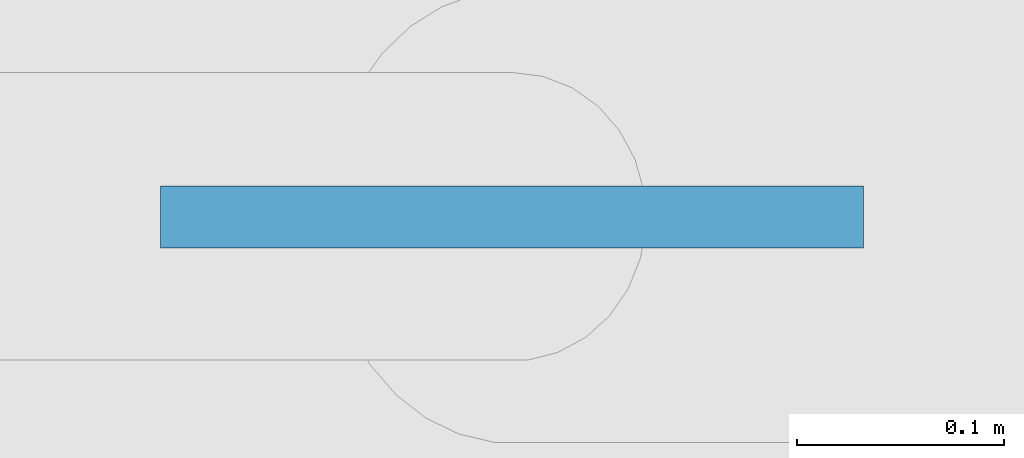
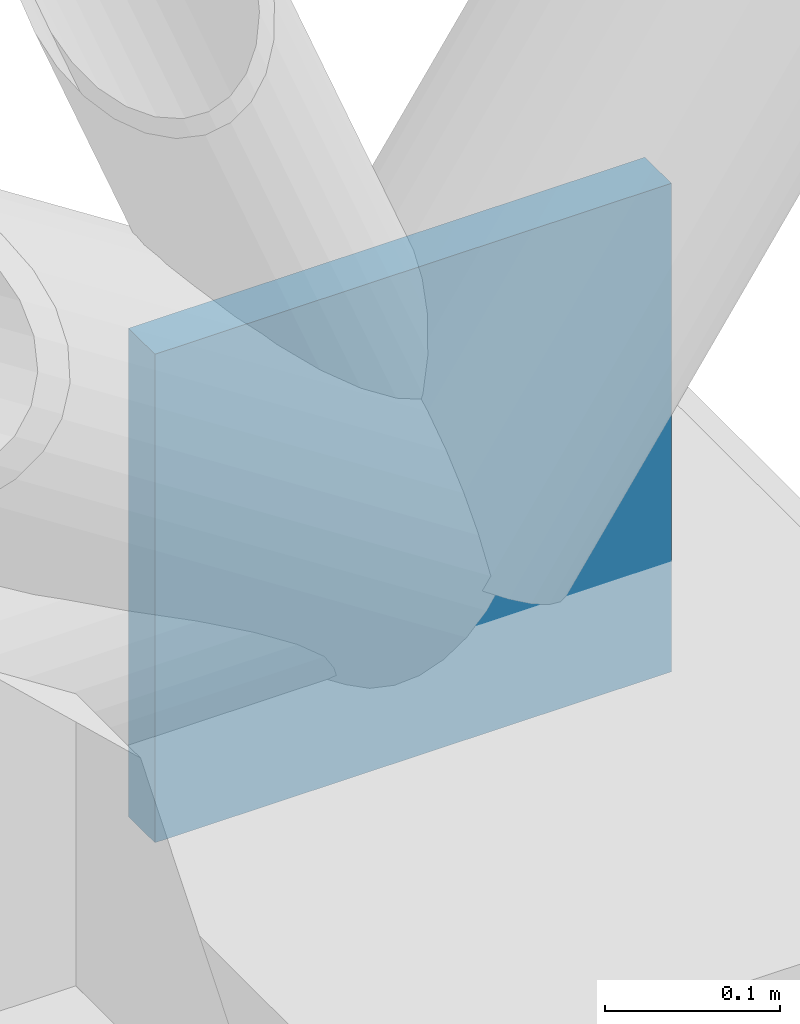
# One storey, part 53 of 65: 1 discrete accessory.
"""IFC4 building model written with IfcOpenShell, lengths in metres."""

from ifc_helpers import new_model, si_unit, direction, frame, origin, origin_2d, place, context, subcontext, project, spatial, rectangle, extrude, material, layer, layer_set, type_object, element, save


model = new_model("IFC4")

# Units and contexts
model_context = context("Model", 3, precision=1e-05, world=origin(), true_north=direction((0.0, 1.0)))
body_context = subcontext(model_context, "Body", "Model", "MODEL_VIEW")
ifc_project = project(units=[si_unit("LENGTHUNIT", "METRE"), si_unit("AREAUNIT", "SQUARE_METRE"), si_unit("VOLUMEUNIT", "CUBIC_METRE"), si_unit("PLANEANGLEUNIT", "RADIAN"), si_unit("MASSUNIT", "GRAM", prefix="KILO")], contexts=[model_context])

# Site, building, storey
site_placement = place(None, origin())
site = spatial("IfcSite", under=ifc_project, at=site_placement, CompositionType="ELEMENT")
building_placement = place(site_placement, origin())
building = spatial("IfcBuilding", under=site, at=building_placement, Name="Elbe Cascade School", CompositionType="ELEMENT")
storey_placement = place(building_placement, frame((0.0, 0.0, 11.699951171875)))
storey = spatial("IfcBuildingStorey", under=building, at=storey_placement, Name="L03", CompositionType="ELEMENT", Elevation=11.699951171875)

# Discrete accessory
ifc_material = material(Name="Steel S355J2", Category="steel")
ifc_layer = layer(ifc_material, 0.030029296875)
ifc_layer_set = layer_set([ifc_layer], Name="Steel S355J2")
discrete_accessory_type = type_object("IfcDiscreteAccessoryType", Name="Truss node connection", PredefinedType="BRACKET", material=ifc_layer_set)
discrete_accessory_placement = place(storey_placement, frame((60.0, 69.5, 1.72216796875), z_axis=(0.0, 0.0, 1.0), x_axis=(1.0, 0.0, 0.0)))
element("IfcDiscreteAccessory", 1, at=discrete_accessory_placement, inside=storey, type_object=discrete_accessory_type, Name="Truss node connection AC1", PredefinedType="BRACKET", context=body_context, shape_type="SweptSolid", body=[
    extrude(rectangle(XDim=0.340087890625, YDim=0.030029296875, at=origin_2d()), origin(), (0.0, 0.0, 1.0), 0.340087890625),
])

save(model, "model.ifc")
